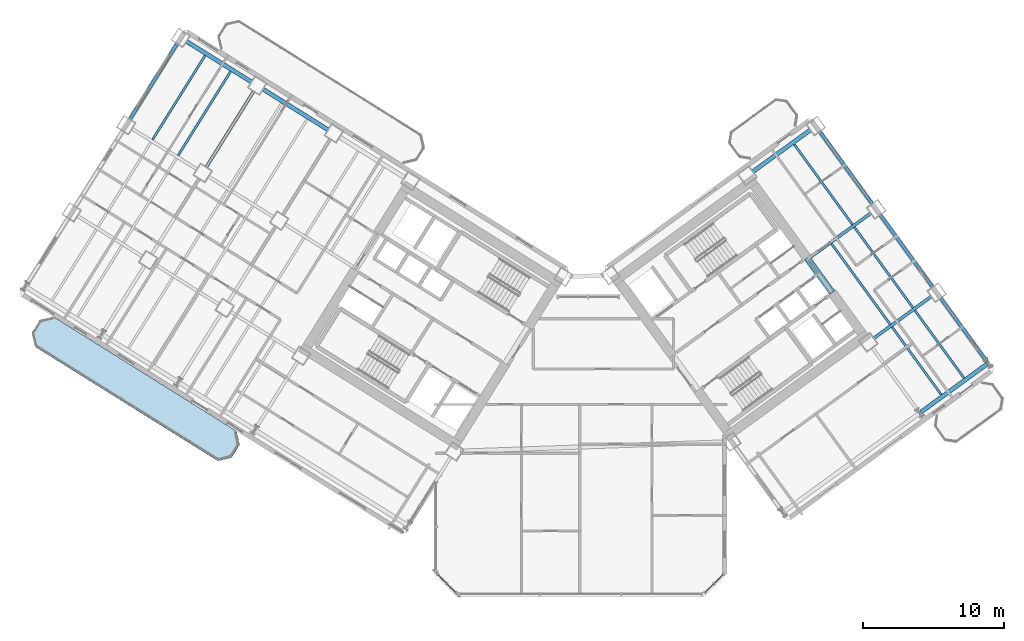
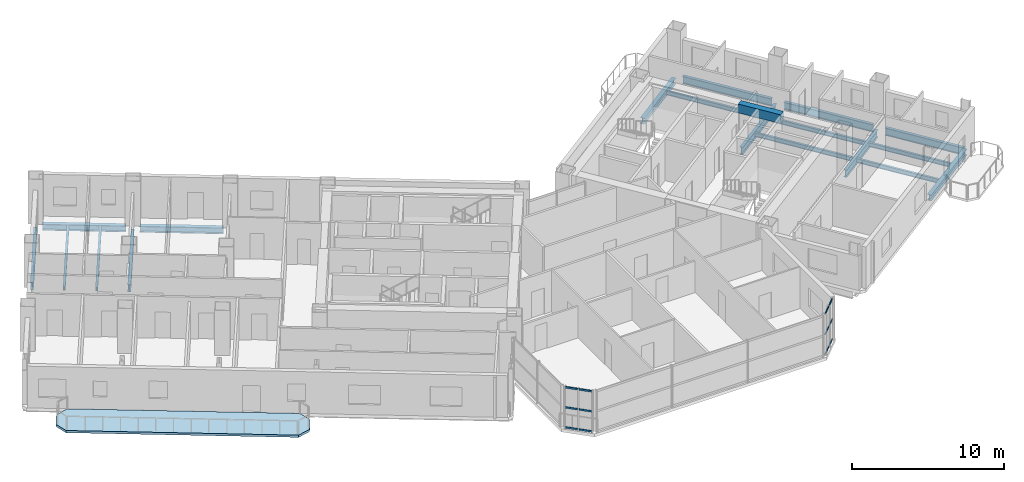
# One storey, part 12 of 24: 19 beams, 12 members, 1 slab, 2 elements without a shape of their own.
"""IFC4 building model written with IfcOpenShell, lengths in metres."""

from ifc_helpers import new_model, si_unit, direction, frame, origin, origin_2d, place, context, subcontext, project, spatial, polyline, rectangle, hollow_rectangle, i_section, outline, extrude, source, transform, mapped, material, layer, layer_set, material_profile, profile_set, type_object, element, aggregate, save


model = new_model("IFC4")

# Units and contexts
model_context = context("Model", 3, precision=1e-05, world=origin(), true_north=direction((0.0, 1.0)))
body_context = subcontext(model_context, "Body", "Model", "MODEL_VIEW")
ifc_project = project(units=[si_unit("LENGTHUNIT", "METRE"), si_unit("AREAUNIT", "SQUARE_METRE"), si_unit("VOLUMEUNIT", "CUBIC_METRE"), si_unit("PLANEANGLEUNIT", "RADIAN"), si_unit("MASSUNIT", "GRAM", prefix="KILO")], contexts=[model_context])

# Site, building, storey
site_placement = place(None, origin())
site = spatial("IfcSite", under=ifc_project, at=site_placement, CompositionType="ELEMENT")
building_placement = place(site_placement, origin())
building = spatial("IfcBuilding", under=site, at=building_placement, Name="Tlacorven Tower", CompositionType="ELEMENT")
storey_placement = place(building_placement, frame((0.0, 0.0, 60.0)))
storey = spatial("IfcBuildingStorey", under=building, at=storey_placement, Name="L15", CompositionType="ELEMENT", Elevation=60.0)

# Beams
ifc_material_1 = material(Name="Concrete C60/75", Category="concrete")
ifc_material_profile_1 = material_profile(ifc_material_1, rectangle(XDim=0.449951171875, YDim=0.699951171875, at=origin_2d()), Name="RC 450X700")
ifc_profile_set_1 = profile_set([ifc_material_profile_1], Name="Concrete C60/75")
beam_type_1 = type_object("IfcBeamType", Name="BM-LNT-700", PredefinedType="LINTEL", material=ifc_profile_set_1)
shared_shape_1 = source(origin(), body_context, "Body", "SweptSolid", [
    extrude(rectangle(XDim=0.449951171875, YDim=0.699951171875, at=origin_2d()), origin(), (0.0, 0.0, 1.0), 3.050048828125),
])
beam_1_placement = place(storey_placement, frame((59.856689453125, 23.345947265625, 3.0), z_axis=(-0.587776590479, 0.80902328748, 0.0), x_axis=(-0.80902328748, -0.587776590479, 0.0)))
element("IfcBeam", 1, at=beam_1_placement, inside=storey, type_object=beam_type_1, Name="L15 E core coupling lintel beam E2", PredefinedType="LINTEL", context=body_context, shape_type="MappedRepresentation", body=[
    mapped(shared_shape_1, transform((0.0, 0.0, 0.0), scale=1.0)),
])
ifc_material_2 = material(Name="Steel S355J2", Category="steel")
ifc_material_profile_2 = material_profile(ifc_material_2, i_section(OverallWidth=0.300048828125, OverallDepth=0.489990234375, WebThickness=0.011962890625, FlangeThickness=0.02294921875, at=origin_2d()), Name="HEA 500")
ifc_profile_set_2 = profile_set([ifc_material_profile_2], Name="Steel S355J2")
beam_type_2 = type_object("IfcBeamType", Name="BM-SPN-500", PredefinedType="SPANDREL", material=ifc_profile_set_2)
shared_shape_2 = source(origin(), body_context, "Body", "SweptSolid", [
    extrude(i_section(OverallWidth=0.300048828125, OverallDepth=0.489990234375, WebThickness=0.011962890625, FlangeThickness=0.02294921875, at=origin_2d()), origin(), (0.0, 0.0, 1.0), 5.5),
])
for number, where, z_axis, x_axis, name in (
    (2, (24.118896484375, 34.88134765625, -0.4951171875), (-0.848050668838, 0.52991514706, 0.0), (-0.52991514706, -0.848050668838, 0.0), "L15 beam BM-L15-WL1-4"),
    (3, (18.69140625, 38.272705078125, -0.4951171875), (-0.848050668838, 0.52991514706, 0.0), (-0.52991514706, -0.848050668838, 0.0), "L15 beam BM-L15-WL1-5"),
):
    element("IfcBeam", number, at=place(storey_placement, frame(where, z_axis=z_axis, x_axis=x_axis)), inside=storey, type_object=beam_type_2, Name=name, PredefinedType="SPANDREL", context=body_context, shape_type="MappedRepresentation", body=[
        mapped(shared_shape_2, transform((0.0, 0.0, 0.0), scale=1.0)),
    ])
ifc_material_profile_3 = material_profile(ifc_material_2, i_section(OverallWidth=0.219970703125, OverallDepth=0.60009765625, WebThickness=0.011962890625, FlangeThickness=0.01904296875, at=origin_2d()), Name="IPE 600")
ifc_profile_set_3 = profile_set([ifc_material_profile_3], Name="Steel S355J2")
beam_type_3 = type_object("IfcBeamType", Name="BM-TWR-600", PredefinedType="BEAM", material=ifc_profile_set_3)
shared_shape_3 = source(origin(), body_context, "Body", "SweptSolid", [
    extrude(i_section(OverallWidth=0.219970703125, OverallDepth=0.60009765625, WebThickness=0.011962890625, FlangeThickness=0.01904296875, at=origin_2d()), origin(), (0.0, 0.0, 1.0), 5.650146484375),
])
beam_2_placement = place(storey_placement, frame((70.853271484375, 18.41845703125, -0.550048828125), z_axis=(-0.587783675561, 0.809018139935, 0.0), x_axis=(-0.809018139935, -0.587783675561, 0.0)))
element("IfcBeam", 4, at=beam_2_placement, inside=storey, type_object=beam_type_3, Name="L15 beam BM-L15-ET4-1", PredefinedType="BEAM", context=body_context, shape_type="MappedRepresentation", body=[
    mapped(shared_shape_3, transform((0.0, 0.0, 0.0), scale=1.0)),
])
shared_shape_4 = source(origin(), body_context, "Body", "SweptSolid", [
    extrude(i_section(OverallWidth=0.219970703125, OverallDepth=0.60009765625, WebThickness=0.011962890625, FlangeThickness=0.01904296875, at=origin_2d()), origin(), (0.0, 0.0, 1.0), 6.39990234375),
])
for number, where, z_axis, x_axis, name in (
    (5, (67.003173828125, 23.717529296875, -0.550048828125), (-0.587772420479, 0.809026317077, 0.0), (-0.809026317077, -0.587772420479, 0.0), "L15 beam BM-L15-ET4-2"),
    (6, (62.71240234375, 29.62353515625, -0.550048828125), (-0.587815528162, 0.808994996803, 0.0), (-0.808994996803, -0.587815528162, 0.0), "L15 beam BM-L15-ET4-3"),
):
    element("IfcBeam", number, at=place(storey_placement, frame(where, z_axis=z_axis, x_axis=x_axis)), inside=storey, type_object=beam_type_3, Name=name, PredefinedType="BEAM", context=body_context, shape_type="MappedRepresentation", body=[
        mapped(shared_shape_4, transform((0.0, 0.0, 0.0), scale=1.0)),
    ])
shared_shape_5 = source(origin(), body_context, "Body", "SweptSolid", [
    extrude(i_section(OverallWidth=0.219970703125, OverallDepth=0.60009765625, WebThickness=0.011962890625, FlangeThickness=0.01904296875, at=origin_2d()), origin(), (0.0, 0.0, 1.0), 6.400146484375),
])
for number, where, z_axis, x_axis, name in (
    (7, (18.83447265625, 37.652587890625, -0.550048828125), (-0.529933789039, -0.848039019877, 0.0), (0.848039019877, -0.529933789039, 0.0), "L15 beam BM-L15-WT5-1"),
    (8, (13.406982421875, 41.044189453125, -0.550048828125), (-0.529933789039, -0.848039019877, 0.0), (0.848039019877, -0.529933789039, 0.0), "L15 beam BM-L15-WT6-1"),
):
    element("IfcBeam", number, at=place(storey_placement, frame(where, z_axis=z_axis, x_axis=x_axis)), inside=storey, type_object=beam_type_3, Name=name, PredefinedType="BEAM", context=body_context, shape_type="MappedRepresentation", body=[
        mapped(shared_shape_5, transform((0.0, 0.0, 0.0), scale=1.0)),
    ])
ifc_material_profile_4 = material_profile(ifc_material_2, i_section(OverallWidth=0.159912109375, OverallDepth=0.330078125, WebThickness=0.007568359375, FlangeThickness=0.011474609375, at=origin_2d()), Name="IPE 330")
ifc_profile_set_4 = profile_set([ifc_material_profile_4], Name="Steel S355J2")
beam_type_4 = type_object("IfcBeamType", Name="BM-JST-330", PredefinedType="JOIST", material=ifc_profile_set_4)
shared_shape_6 = source(origin(), body_context, "Body", "SweptSolid", [
    extrude(i_section(OverallWidth=0.159912109375, OverallDepth=0.330078125, WebThickness=0.007568359375, FlangeThickness=0.011474609375, at=origin_2d()), origin(), (0.0, 0.0, 1.0), 7.030029296875),
])
for number, where, z_axis, x_axis, name in (
    (9, (17.181640625, 39.033447265625, -0.4150390625), (-0.529911532383, -0.848052927504, 0.0), (0.848052927504, -0.529911532383, 0.0), "L15 beam BM-L15-WJ5-1-1"),
    (10, (15.372314453125, 40.163818359375, -0.4150390625), (-0.529927139185, -0.84804317529, 0.0), (0.84804317529, -0.529927139185, 0.0), "L15 beam BM-L15-WJ5-1-2"),
    (11, (61.291259765625, 28.1767578125, -0.4150390625), (-0.587773097846, 0.809025824958, 0.0), (-0.809025824958, -0.587773097846, 0.0), "L15 beam BM-L15-EJ3-3-2"),
):
    element("IfcBeam", number, at=place(storey_placement, frame(where, z_axis=z_axis, x_axis=x_axis)), inside=storey, type_object=beam_type_4, Name=name, PredefinedType="JOIST", context=body_context, shape_type="MappedRepresentation", body=[
        mapped(shared_shape_6, transform((0.0, 0.0, 0.0), scale=1.0)),
    ])
shared_shape_7 = source(origin(), body_context, "Body", "SweptSolid", [
    extrude(i_section(OverallWidth=0.159912109375, OverallDepth=0.330078125, WebThickness=0.007568359375, FlangeThickness=0.011474609375, at=origin_2d()), origin(), (0.0, 0.0, 1.0), 5.93017578125),
])
for number, where, z_axis, x_axis, name in (
    (12, (67.584716796875, 16.11181640625, -0.4150390625), (-0.587777512947, 0.809022617282, 0.0), (-0.809022617282, -0.587777512947, 0.0), "L15 beam BM-L15-EJ3-1-1"),
    (13, (69.202880859375, 17.287353515625, -0.4150390625), (-0.587777512947, 0.809022617282, 0.0), (-0.809022617282, -0.587777512947, 0.0), "L15 beam BM-L15-EJ3-1-2"),
):
    element("IfcBeam", number, at=place(storey_placement, frame(where, z_axis=z_axis, x_axis=x_axis)), inside=storey, type_object=beam_type_4, Name=name, PredefinedType="JOIST", context=body_context, shape_type="MappedRepresentation", body=[
        mapped(shared_shape_7, transform((0.0, 0.0, 0.0), scale=1.0)),
    ])
shared_shape_8 = source(origin(), body_context, "Body", "SweptSolid", [
    extrude(i_section(OverallWidth=0.159912109375, OverallDepth=0.330078125, WebThickness=0.007568359375, FlangeThickness=0.011474609375, at=origin_2d()), origin(), (0.0, 0.0, 1.0), 7.070068359375),
])
beam_3_placement = place(storey_placement, frame((63.964111328125, 21.095458984375, -0.4150390625), z_axis=(-0.587797946309, 0.80900777148, 0.0), x_axis=(-0.80900777148, -0.587797946309, 0.0)))
element("IfcBeam", 14, at=beam_3_placement, inside=storey, type_object=beam_type_4, Name="L15 beam BM-L15-EJ3-2-1", PredefinedType="JOIST", context=body_context, shape_type="MappedRepresentation", body=[
    mapped(shared_shape_8, transform((0.0, 0.0, 0.0), scale=1.0)),
])
shared_shape_9 = source(origin(), body_context, "Body", "SweptSolid", [
    extrude(i_section(OverallWidth=0.159912109375, OverallDepth=0.330078125, WebThickness=0.007568359375, FlangeThickness=0.011474609375, at=origin_2d()), origin(), (0.0, 0.0, 1.0), 7.06982421875),
])
beam_4_placement = place(storey_placement, frame((65.58203125, 22.27099609375, -0.4150390625), z_axis=(-0.58777534487, 0.809024192446, 0.0), x_axis=(-0.809024192446, -0.58777534487, 0.0)))
element("IfcBeam", 15, at=beam_4_placement, inside=storey, type_object=beam_type_4, Name="L15 beam BM-L15-EJ3-2-2", PredefinedType="JOIST", context=body_context, shape_type="MappedRepresentation", body=[
    mapped(shared_shape_9, transform((0.0, 0.0, 0.0), scale=1.0)),
])
shared_shape_10 = source(origin(), body_context, "Body", "SweptSolid", [
    extrude(i_section(OverallWidth=0.300048828125, OverallDepth=0.489990234375, WebThickness=0.011962890625, FlangeThickness=0.02294921875, at=origin_2d()), origin(), (0.0, 0.0, 1.0), 5.800048828125),
])
beam_5_placement = place(storey_placement, frame((66.138671875, 14.86962890625, -0.4951171875), z_axis=(0.809019944521, 0.587781191743, 0.0), x_axis=(-0.587781191743, 0.809019944521, 0.0)))
element("IfcBeam", 16, at=beam_5_placement, inside=storey, type_object=beam_type_2, Name="L15 beam BM-L15-EL1-3", PredefinedType="SPANDREL", context=body_context, shape_type="MappedRepresentation", body=[
    mapped(shared_shape_10, transform((0.0, 0.0, 0.0), scale=1.0)),
])
shared_shape_11 = source(origin(), body_context, "Body", "SweptSolid", [
    extrude(i_section(OverallWidth=0.219970703125, OverallDepth=0.60009765625, WebThickness=0.011962890625, FlangeThickness=0.01904296875, at=origin_2d()), origin(), (0.0, 0.0, 1.0), 5.10009765625),
])
beam_6_placement = place(storey_placement, frame((62.777587890625, 20.09130859375, -0.550048828125), z_axis=(0.809007176828, 0.58779876475, 0.0), x_axis=(-0.58779876475, 0.809007176828, 0.0)))
element("IfcBeam", 17, at=beam_6_placement, inside=storey, type_object=beam_type_3, Name="L15 beam BM-L15-EL2-3", PredefinedType="BEAM", context=body_context, shape_type="MappedRepresentation", body=[
    mapped(shared_shape_11, transform((0.0, 0.0, 0.0), scale=1.0)),
])
shared_shape_12 = source(origin(), body_context, "Body", "SweptSolid", [
    extrude(i_section(OverallWidth=0.219970703125, OverallDepth=0.60009765625, WebThickness=0.011962890625, FlangeThickness=0.01904296875, at=origin_2d()), origin(), (0.0, 0.0, 1.0), 5.510009765625),
])
beam_7_placement = place(storey_placement, frame((58.155029296875, 25.756103515625, -0.550048828125), z_axis=(0.809015730594, 0.587786991734, 0.0), x_axis=(-0.587786991734, 0.809015730594, 0.0)))
element("IfcBeam", 18, at=beam_7_placement, inside=storey, type_object=beam_type_3, Name="L15 beam BM-L15-EL3-3", PredefinedType="BEAM", context=body_context, shape_type="MappedRepresentation", body=[
    mapped(shared_shape_12, transform((0.0, 0.0, 0.0), scale=1.0)),
])
shared_shape_13 = source(origin(), body_context, "Body", "SweptSolid", [
    extrude(i_section(OverallWidth=0.300048828125, OverallDepth=0.489990234375, WebThickness=0.011962890625, FlangeThickness=0.02294921875, at=origin_2d()), origin(), (0.0, 0.0, 1.0), 5.099853515625),
])
beam_8_placement = place(storey_placement, frame((54.196044921875, 31.903076171875, -0.4951171875), z_axis=(0.809029940764, 0.587767432704, 0.0), x_axis=(-0.587767432704, 0.809029940764, 0.0)))
element("IfcBeam", 19, at=beam_8_placement, inside=storey, type_object=beam_type_2, Name="L15 beam BM-L15-EL4-3", PredefinedType="SPANDREL", context=body_context, shape_type="MappedRepresentation", body=[
    mapped(shared_shape_13, transform((0.0, 0.0, 0.0), scale=1.0)),
])

# Curtain wall, members
ifc_material_3 = material(Name="Dark solar low-E double glazing in aluminium frame", Category="aluminium")
curtain_wall_type = type_object("IfcCurtainWallType", Name="CW-TWR-LOW", PredefinedType="USERDEFINED", material=ifc_material_3)
curtain_wall_1_placement = place(storey_placement, origin())
curtain_wall_1 = element("IfcCurtainWall", 20, at=curtain_wall_1_placement, inside=storey, type_object=curtain_wall_type, Name="L15 CW-TWR-LOW Curtain Wall 81", ObjectType="UNITISED CURTAIN WALL", PredefinedType="USERDEFINED")
ifc_material_4 = material(Name="Aluminium 6063-T6 anodised", Category="aluminium")
ifc_material_profile_5 = material_profile(ifc_material_4, hollow_rectangle(XDim=0.06005859375, YDim=0.139892578125, WallThickness=0.00390625, at=origin_2d()), Name="ALU TRANSOM 60X140")
ifc_profile_set_5 = profile_set([ifc_material_profile_5], Name="Aluminium 6063-T6 anodised")
member_type = type_object("IfcMemberType", Name="CWT-02", PredefinedType="USERDEFINED", material=ifc_profile_set_5)
shared_shape_14 = source(origin(), body_context, "Body", "SweptSolid", [
    extrude(hollow_rectangle(XDim=0.06005859375, YDim=0.139892578125, WallThickness=0.00390625, at=origin_2d()), origin(), (0.0, 0.0, 1.0), 0.8837890625),
])
member_1_placement = place(storey_placement, frame((52.128173828125, 3.3544921875, 0.070068359375), z_axis=(-0.707106781187, -0.707106781187, 0.0), x_axis=(0.707106781187, -0.707106781187, 0.0)))
member_1 = element("IfcMember", 21, at=member_1_placement, type_object=member_type, Name="CW-L15-081 Transom 1", ObjectType="TRANSOM", PredefinedType="USERDEFINED", context=body_context, shape_type="MappedRepresentation", body=[
    mapped(shared_shape_14, transform((0.0, 0.0, 0.0), scale=1.0)),
])
member_2_placement = place(storey_placement, frame((52.128173828125, 3.3544921875, 1.675048828125), z_axis=(-0.707106781187, -0.707106781187, 0.0), x_axis=(0.707106781187, -0.707106781187, 0.0)))
member_2 = element("IfcMember", 22, at=member_2_placement, type_object=member_type, Name="CW-L15-081 Transom 2", ObjectType="TRANSOM", PredefinedType="USERDEFINED", context=body_context, shape_type="MappedRepresentation", body=[
    mapped(shared_shape_14, transform((0.0, 0.0, 0.0), scale=1.0)),
])
member_3_placement = place(storey_placement, frame((52.128173828125, 3.3544921875, 3.280029296875), z_axis=(-0.707106781187, -0.707106781187, 0.0), x_axis=(0.707106781187, -0.707106781187, 0.0)))
member_3 = element("IfcMember", 23, at=member_3_placement, type_object=member_type, Name="CW-L15-081 Transom 3", ObjectType="TRANSOM", PredefinedType="USERDEFINED", context=body_context, shape_type="MappedRepresentation", body=[
    mapped(shared_shape_14, transform((0.0, 0.0, 0.0), scale=1.0)),
])

curtain_wall_2_placement = place(storey_placement, origin())
curtain_wall_2 = element("IfcCurtainWall", 24, at=curtain_wall_2_placement, inside=storey, type_object=curtain_wall_type, Name="L15 CW-TWR-LOW Curtain Wall 83", ObjectType="UNITISED CURTAIN WALL", PredefinedType="USERDEFINED")
member_4_placement = place(storey_placement, frame((32.496826171875, 2.7294921875, 0.070068359375), z_axis=(-0.707106781187, 0.707106781187, 0.0), x_axis=(-0.707106781187, -0.707106781187, 0.0)))
member_4 = element("IfcMember", 25, at=member_4_placement, type_object=member_type, Name="CW-L15-083 Transom 4", ObjectType="TRANSOM", PredefinedType="USERDEFINED", context=body_context, shape_type="MappedRepresentation", body=[
    mapped(shared_shape_14, transform((0.0, 0.0, 0.0), scale=1.0)),
])
member_5_placement = place(storey_placement, frame((32.496826171875, 2.7294921875, 1.675048828125), z_axis=(-0.707106781187, 0.707106781187, 0.0), x_axis=(-0.707106781187, -0.707106781187, 0.0)))
member_5 = element("IfcMember", 26, at=member_5_placement, type_object=member_type, Name="CW-L15-083 Transom 5", ObjectType="TRANSOM", PredefinedType="USERDEFINED", context=body_context, shape_type="MappedRepresentation", body=[
    mapped(shared_shape_14, transform((0.0, 0.0, 0.0), scale=1.0)),
])
member_6_placement = place(storey_placement, frame((32.496826171875, 2.7294921875, 3.280029296875), z_axis=(-0.707106781187, 0.707106781187, 0.0), x_axis=(-0.707106781187, -0.707106781187, 0.0)))
member_6 = element("IfcMember", 27, at=member_6_placement, type_object=member_type, Name="CW-L15-083 Transom 6", ObjectType="TRANSOM", PredefinedType="USERDEFINED", context=body_context, shape_type="MappedRepresentation", body=[
    mapped(shared_shape_14, transform((0.0, 0.0, 0.0), scale=1.0)),
])

# Member
shared_shape_15 = source(origin(), body_context, "Body", "SweptSolid", [
    extrude(hollow_rectangle(XDim=0.06005859375, YDim=0.139892578125, WallThickness=0.00390625, at=origin_2d()), origin(), (0.0, 0.0, 1.0), 0.884033203125),
])
member_7_placement = place(storey_placement, frame((51.470703125, 2.69677734375, 0.070068359375), z_axis=(-0.707244847527, -0.706968687883, 0.0), x_axis=(0.706968687883, -0.707244847527, 0.0)))
member_7 = element("IfcMember", 28, at=member_7_placement, type_object=member_type, Name="CW-L15-081 Transom 4", ObjectType="TRANSOM", PredefinedType="USERDEFINED", context=body_context, shape_type="MappedRepresentation", body=[
    mapped(shared_shape_15, transform((0.0, 0.0, 0.0), scale=1.0)),
])

member_8_placement = place(storey_placement, frame((51.470703125, 2.69677734375, 1.675048828125), z_axis=(-0.707244847527, -0.706968687883, 0.0), x_axis=(0.706968687883, -0.707244847527, 0.0)))
member_8 = element("IfcMember", 29, at=member_8_placement, type_object=member_type, Name="CW-L15-081 Transom 5", ObjectType="TRANSOM", PredefinedType="USERDEFINED", context=body_context, shape_type="MappedRepresentation", body=[
    mapped(shared_shape_15, transform((0.0, 0.0, 0.0), scale=1.0)),
])

member_9_placement = place(storey_placement, frame((51.470703125, 2.69677734375, 3.280029296875), z_axis=(-0.707244847527, -0.706968687883, 0.0), x_axis=(0.706968687883, -0.707244847527, 0.0)))
member_9 = element("IfcMember", 30, at=member_9_placement, type_object=member_type, Name="CW-L15-081 Transom 6", ObjectType="TRANSOM", PredefinedType="USERDEFINED", context=body_context, shape_type="MappedRepresentation", body=[
    mapped(shared_shape_15, transform((0.0, 0.0, 0.0), scale=1.0)),
])

aggregate(curtain_wall_1, [member_1, member_2, member_3, member_7, member_8, member_9])

member_10_placement = place(storey_placement, frame((33.154541015625, 2.07177734375, 0.070068359375), z_axis=(-0.707244847527, 0.706968687883, 0.0), x_axis=(-0.706968687883, -0.707244847527, 0.0)))
member_10 = element("IfcMember", 31, at=member_10_placement, type_object=member_type, Name="CW-L15-083 Transom 1", ObjectType="TRANSOM", PredefinedType="USERDEFINED", context=body_context, shape_type="MappedRepresentation", body=[
    mapped(shared_shape_15, transform((0.0, 0.0, 0.0), scale=1.0)),
])

member_11_placement = place(storey_placement, frame((33.154541015625, 2.07177734375, 1.675048828125), z_axis=(-0.707244847527, 0.706968687883, 0.0), x_axis=(-0.706968687883, -0.707244847527, 0.0)))
member_11 = element("IfcMember", 32, at=member_11_placement, type_object=member_type, Name="CW-L15-083 Transom 2", ObjectType="TRANSOM", PredefinedType="USERDEFINED", context=body_context, shape_type="MappedRepresentation", body=[
    mapped(shared_shape_15, transform((0.0, 0.0, 0.0), scale=1.0)),
])

member_12_placement = place(storey_placement, frame((33.154541015625, 2.07177734375, 3.280029296875), z_axis=(-0.707244847527, 0.706968687883, 0.0), x_axis=(-0.706968687883, -0.707244847527, 0.0)))
member_12 = element("IfcMember", 33, at=member_12_placement, type_object=member_type, Name="CW-L15-083 Transom 3", ObjectType="TRANSOM", PredefinedType="USERDEFINED", context=body_context, shape_type="MappedRepresentation", body=[
    mapped(shared_shape_15, transform((0.0, 0.0, 0.0), scale=1.0)),
])

aggregate(curtain_wall_2, [member_10, member_11, member_12, member_4, member_5, member_6])

# Slab
ifc_material_5 = material(Name="Precast concrete C45/55", Category="concrete")
ifc_layer = layer(ifc_material_5, 0.179931640625)
ifc_layer_set = layer_set([ifc_layer], Name="Precast concrete C45/55")
slab_type = type_object("IfcSlabType", Name="SL-BAL-180", PredefinedType="USERDEFINED", material=ifc_layer_set)
slab_placement = place(storey_placement, frame((0.0, 0.0, -0.179931640625)))
element("IfcSlab", 34, at=slab_placement, inside=storey, type_object=slab_type, Name="L15 West Wing Balcony Ribbon OUT", ObjectType="BALCONY SLAB", PredefinedType="USERDEFINED", context=body_context, shape_type="SweptSolid", body=[
    extrude(outline(polyline([(17.601318359375, 13.52490234375), (4.626220703125, 21.632568359375), (3.66162109375, 21.409912109375), (3.081298828125, 20.4814453125), (3.303955078125, 19.516845703125), (16.279052734375, 11.408935546875), (17.24365234375, 11.6318359375), (17.823974609375, 12.560302734375), (17.601318359375, 13.52490234375)])), origin(), (0.0, 0.0, 1.0), 0.179931640625),
])

save(model, "model.ifc")
